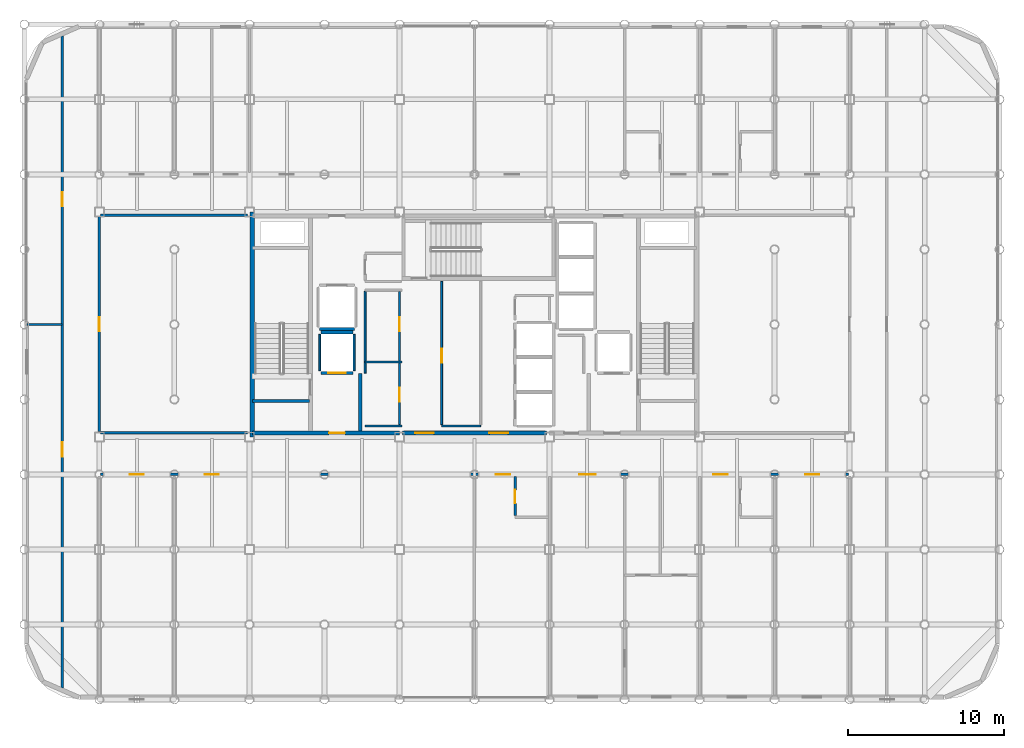
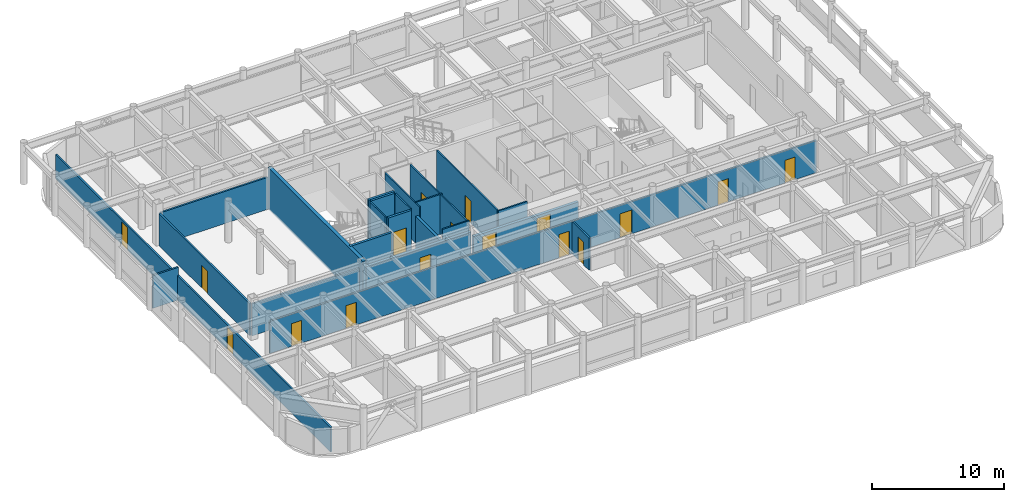
# One storey, part 17 of 22: 23 walls, 17 doors, 17 openings.
"""IFC4 building model written with IfcOpenShell, lengths in metres."""

from ifc_helpers import new_model, si_unit, direction, frame, frame_2d, origin, place, context, subcontext, project, spatial, rectangle, extrude, material, layer, layer_set, type_object, element, fill, save


model = new_model("IFC4")

# Units and contexts
model_context = context("Model", 3, precision=1e-05, world=origin(), true_north=direction((0.0, 1.0)))
body_context = subcontext(model_context, "Body", "Model", "MODEL_VIEW")
ifc_project = project(units=[si_unit("LENGTHUNIT", "METRE"), si_unit("AREAUNIT", "SQUARE_METRE"), si_unit("VOLUMEUNIT", "CUBIC_METRE"), si_unit("PLANEANGLEUNIT", "RADIAN"), si_unit("MASSUNIT", "GRAM", prefix="KILO")], contexts=[model_context])

# Site, building, storey
site_placement = place(None, origin())
site = spatial("IfcSite", under=ifc_project, at=site_placement, CompositionType="ELEMENT")
building_placement = place(site_placement, origin())
building = spatial("IfcBuilding", under=site, at=building_placement, Name="Kallvorn Hotel Tower", CompositionType="ELEMENT")
storey_placement = place(building_placement, frame((0.0, 0.0, 203.050048828125)))
storey = spatial("IfcBuildingStorey", under=building, at=storey_placement, Name="L50", CompositionType="ELEMENT", Elevation=203.050048828125)

# Wall
ifc_material_1 = material(Name="Concrete C50/60", Category="concrete")
ifc_layer_1 = layer(ifc_material_1, 0.300048828125)
ifc_layer_set_1 = layer_set([ifc_layer_1], Name="WL_CORE_300")
wall_type_1 = type_object("IfcWallType", Name="WL_CORE_300", PredefinedType="SHEAR", material=ifc_layer_set_1)
wall_1_placement = place(storey_placement, frame((-14.215087890625, -7.199951171875, -0.179931640625), z_axis=(0.0, 0.0, 1.0), x_axis=(0.0, 1.0, 0.0)))
element("IfcWall", 1, at=wall_1_placement, inside=storey, type_object=wall_type_1, Name="L50 Core West Shear Wall", PredefinedType="SHEAR", context=body_context, shape_type="SweptSolid", body=[
    extrude(rectangle(XDim=14.39990234375, YDim=0.300048828125, at=frame_2d((7.199951171875, 0.0))), origin(), (0.0, 0.0, 1.0), 3.849853515625),
])

# Wall, openings, doors
ifc_material_2 = material(Name="Fire-rated double-layer acoustic gypsum drywall EI 60")
ifc_layer_2 = layer(ifc_material_2, 0.159912109375)
ifc_layer_set_2 = layer_set([ifc_layer_2], Name="WL_DEMISE_160")
wall_type_2 = type_object("IfcWallType", Name="WL_DEMISE_160", PredefinedType="PARTITIONING", material=ifc_layer_set_2)
wall_2_placement = place(storey_placement, frame((-23.919921875, -9.60009765625, 0.0), z_axis=(0.0, 0.0, 1.0), x_axis=(1.0, 0.0, 0.0)))
wall_2 = element("IfcWall", 2, at=wall_2_placement, inside=storey, type_object=wall_type_2, Name="L50 Suite 5001 Deluxe King Room Partition", PredefinedType="PARTITIONING", context=body_context, shape_type="SweptSolid", body=[
    extrude(rectangle(XDim=47.83984375, YDim=0.159912109375, at=frame_2d((23.919921875, 0.0))), origin(), (0.0, 0.0, 1.0), 2.969970703125),
])
opening_1_placement = place(wall_2_placement, frame((1.8701171875, 0.0, 0.0)))
opening_1 = element("IfcOpeningElement", 3, at=opening_1_placement, cuts=wall_2, Name="Opening SVD1", PredefinedType="OPENING", context=body_context, shape_type="SweptSolid", body=[
    extrude(rectangle(XDim=0.89990234375, YDim=2.10009765625, at=frame_2d((0.449951171875, 1.050048828125))), frame((0.0, 0.094970703125, 0.0), z_axis=(0.0, -1.0, 0.0), x_axis=(1.0, 0.0, 0.0)), (0.0, 0.0, 1.0), 0.18994140625),
])
opening_2_placement = place(wall_2_placement, frame((45.070068359375, 0.0, 0.0)))
opening_2 = element("IfcOpeningElement", 4, at=opening_2_placement, cuts=wall_2, Name="Opening SVD1", PredefinedType="OPENING", context=body_context, shape_type="SweptSolid", body=[
    extrude(rectangle(XDim=0.89990234375, YDim=2.10009765625, at=frame_2d((0.449951171875, 1.050048828125))), frame((0.0, 0.094970703125, 0.0), z_axis=(0.0, -1.0, 0.0), x_axis=(1.0, 0.0, 0.0)), (0.0, 0.0, 1.0), 0.18994140625),
])
opening_3_placement = place(wall_2_placement, frame((6.669921875, 0.0, 0.0)))
opening_3 = element("IfcOpeningElement", 5, at=opening_3_placement, cuts=wall_2, Name="Opening SVD1", PredefinedType="OPENING", context=body_context, shape_type="SweptSolid", body=[
    extrude(rectangle(XDim=0.89990234375, YDim=2.10009765625, at=frame_2d((0.449951171875, 1.050048828125))), frame((0.0, 0.094970703125, 0.0), z_axis=(0.0, -1.0, 0.0), x_axis=(1.0, 0.0, 0.0)), (0.0, 0.0, 1.0), 0.18994140625),
])
opening_4_placement = place(wall_2_placement, frame((25.2900390625, 0.0, 0.0)))
opening_4 = element("IfcOpeningElement", 6, at=opening_4_placement, cuts=wall_2, Name="Opening GD1", PredefinedType="OPENING", context=body_context, shape_type="SweptSolid", body=[
    extrude(rectangle(XDim=0.919921875, YDim=2.14990234375, at=frame_2d((0.4599609375, 1.074951171875))), frame((0.0, 0.094970703125, 0.0), z_axis=(0.0, -1.0, 0.0), x_axis=(1.0, 0.0, 0.0)), (0.0, 0.0, 1.0), 0.18994140625),
])
opening_5_placement = place(wall_2_placement, frame((30.635009765625, 0.0, 0.0)))
opening_5 = element("IfcOpeningElement", 7, at=opening_5_placement, cuts=wall_2, Name="Opening GD2", PredefinedType="OPENING", context=body_context, shape_type="SweptSolid", body=[
    extrude(rectangle(XDim=1.050048828125, YDim=2.199951171875, at=frame_2d((0.52490234375, 1.10009765625))), frame((0.0, 0.094970703125, 0.0), z_axis=(0.0, -1.0, 0.0), x_axis=(1.0, 0.0, 0.0)), (0.0, 0.0, 1.0), 0.18994140625),
])
opening_6_placement = place(wall_2_placement, frame((39.195068359375, 0.0, 0.0)))
opening_6 = element("IfcOpeningElement", 8, at=opening_6_placement, cuts=wall_2, Name="Opening GD1", PredefinedType="OPENING", context=body_context, shape_type="SweptSolid", body=[
    extrude(rectangle(XDim=0.919921875, YDim=2.14990234375, at=frame_2d((0.4599609375, 1.074951171875))), frame((0.0, 0.094970703125, 0.0), z_axis=(0.0, -1.0, 0.0), x_axis=(1.0, 0.0, 0.0)), (0.0, 0.0, 1.0), 0.18994140625),
])
ifc_material_3 = material(Name="Solid-core walnut veneer fire-rated timber door leaf", Category="wood")
door_type_1 = type_object("IfcDoorType", Name="DR_GUEST_920x2150", OperationType="NOTDEFINED", PredefinedType="DOOR", material=ifc_material_3)
door_1_placement = place(opening_4_placement, origin())
door_1 = element("IfcDoor", 9, at=door_1_placement, inside=storey, type_object=door_type_1, Name="L50 Suite 5001 Deluxe King Room Door", OperationType="SINGLE_SWING_RIGHT", OverallHeight=2.14990234375, OverallWidth=0.919921875, PredefinedType="DOOR", context=body_context, shape_type="SweptSolid", body=[
    extrude(rectangle(XDim=0.919921875, YDim=2.14990234375, at=frame_2d((0.4599609375, 1.074951171875))), frame((0.0, 0.02490234375, 0.0), z_axis=(0.0, -1.0, 0.0), x_axis=(1.0, 0.0, 0.0)), (0.0, 0.0, 1.0), 0.050048828125),
])
fill(opening_4, door_1)
door_2_placement = place(opening_6_placement, origin())
door_2 = element("IfcDoor", 10, at=door_2_placement, inside=storey, type_object=door_type_1, Name="L50 Suite 5003 Superior Twin Room Door", OperationType="SINGLE_SWING_RIGHT", OverallHeight=2.14990234375, OverallWidth=0.919921875, PredefinedType="DOOR", context=body_context, shape_type="SweptSolid", body=[
    extrude(rectangle(XDim=0.919921875, YDim=2.14990234375, at=frame_2d((0.4599609375, 1.074951171875))), frame((0.0, 0.02490234375, 0.0), z_axis=(0.0, -1.0, 0.0), x_axis=(1.0, 0.0, 0.0)), (0.0, 0.0, 1.0), 0.050048828125),
])
fill(opening_6, door_2)
ifc_material_4 = material(Name="Galvanised painted steel fire-rated door assembly", Category="steel")
door_type_2 = type_object("IfcDoorType", Name="DR_SERV_900x2100", OperationType="NOTDEFINED", PredefinedType="DOOR", material=ifc_material_4)
door_3_placement = place(opening_1_placement, origin())
door_3 = element("IfcDoor", 11, at=door_3_placement, inside=storey, type_object=door_type_2, Name="L50 L50 High-Zone South-West Tea Bar Door", OperationType="SINGLE_SWING_LEFT", OverallHeight=2.10009765625, OverallWidth=0.89990234375, PredefinedType="DOOR", context=body_context, shape_type="SweptSolid", body=[
    extrude(rectangle(XDim=0.89990234375, YDim=2.10009765625, at=frame_2d((0.449951171875, 1.050048828125))), frame((0.0, 0.02490234375, 0.0), z_axis=(0.0, -1.0, 0.0), x_axis=(1.0, 0.0, 0.0)), (0.0, 0.0, 1.0), 0.050048828125),
])
fill(opening_1, door_3)
door_4_placement = place(opening_2_placement, origin())
door_4 = element("IfcDoor", 12, at=door_4_placement, inside=storey, type_object=door_type_2, Name="L50 L50 High-Zone South-East Wine Bar Door", OperationType="SINGLE_SWING_RIGHT", OverallHeight=2.10009765625, OverallWidth=0.89990234375, PredefinedType="DOOR", context=body_context, shape_type="SweptSolid", body=[
    extrude(rectangle(XDim=0.89990234375, YDim=2.10009765625, at=frame_2d((0.449951171875, 1.050048828125))), frame((0.0, 0.02490234375, 0.0), z_axis=(0.0, -1.0, 0.0), x_axis=(1.0, 0.0, 0.0)), (0.0, 0.0, 1.0), 0.050048828125),
])
fill(opening_2, door_4)
door_5_placement = place(opening_3_placement, origin())
door_5 = element("IfcDoor", 13, at=door_5_placement, inside=storey, type_object=door_type_2, Name="L50 L50 Executive Co-Working Open-Plan Office 1 Door", OperationType="SINGLE_SWING_RIGHT", OverallHeight=2.10009765625, OverallWidth=0.89990234375, PredefinedType="DOOR", context=body_context, shape_type="SweptSolid", body=[
    extrude(rectangle(XDim=0.89990234375, YDim=2.10009765625, at=frame_2d((0.449951171875, 1.050048828125))), frame((0.0, 0.02490234375, 0.0), z_axis=(0.0, -1.0, 0.0), x_axis=(1.0, 0.0, 0.0)), (0.0, 0.0, 1.0), 0.050048828125),
])
fill(opening_3, door_5)
ifc_material_5 = material(Name="Solid-core walnut veneer fire-rated timber door leaf", Category="wood")
door_type_3 = type_object("IfcDoorType", Name="DR_SUITE_1050x2200", OperationType="NOTDEFINED", PredefinedType="DOOR", material=ifc_material_5)
door_6_placement = place(opening_5_placement, origin())
door_6 = element("IfcDoor", 14, at=door_6_placement, inside=storey, type_object=door_type_3, Name="L50 Suite 5002 Executive Living Salon Door", OperationType="SINGLE_SWING_LEFT", OverallHeight=2.199951171875, OverallWidth=1.050048828125, PredefinedType="DOOR", context=body_context, shape_type="SweptSolid", body=[
    extrude(rectangle(XDim=1.050048828125, YDim=2.199951171875, at=frame_2d((0.52490234375, 1.10009765625))), frame((0.0, 0.02490234375, 0.0), z_axis=(0.0, -1.0, 0.0), x_axis=(1.0, 0.0, 0.0)), (0.0, 0.0, 1.0), 0.050048828125),
])
fill(opening_5, door_6)

# Wall, opening, door
wall_3_placement = place(storey_placement, frame((2.59326171875, -12.235107421875, 0.0), z_axis=(0.0, 0.0, 1.0), x_axis=(0.0, 1.0, 0.0)))
wall_3 = element("IfcWall", 15, at=wall_3_placement, inside=storey, type_object=wall_type_2, Name="L50 Suite 5001 Deluxe King Room Partition", PredefinedType="PARTITIONING", context=body_context, shape_type="SweptSolid", body=[
    extrude(rectangle(XDim=2.51513671875, YDim=0.159912109375, at=frame_2d((1.257568359375, 0.0))), origin(), (0.0, 0.0, 1.0), 2.969970703125),
])
opening_7_placement = place(wall_3_placement, frame((0.784912109375, 0.0, 0.0)))
opening_7 = element("IfcOpeningElement", 16, at=opening_7_placement, cuts=wall_3, Name="Opening BD-I", PredefinedType="OPENING", context=body_context, shape_type="SweptSolid", body=[
    extrude(rectangle(XDim=0.860107421875, YDim=2.10009765625, at=frame_2d((0.43017578125, 1.050048828125))), frame((0.0, 0.094970703125, 0.0), z_axis=(0.0, -1.0, 0.0), x_axis=(1.0, 0.0, 0.0)), (0.0, 0.0, 1.0), 0.18994140625),
])
ifc_material_6 = material(Name="Solid-core walnut veneer fire-rated timber door leaf", Category="wood")
door_type_4 = type_object("IfcDoorType", Name="DR_BATH_860x2100", OperationType="NOTDEFINED", PredefinedType="DOOR", material=ifc_material_6)
door_7_placement = place(opening_7_placement, origin())
door_7 = element("IfcDoor", 17, at=door_7_placement, inside=storey, type_object=door_type_4, Name="L50 Suite 5001 En-Suite Bathroom Door", OperationType="SINGLE_SWING_RIGHT", OverallHeight=2.10009765625, OverallWidth=0.860107421875, PredefinedType="DOOR", context=body_context, shape_type="SweptSolid", body=[
    extrude(rectangle(XDim=0.860107421875, YDim=2.10009765625, at=frame_2d((0.43017578125, 1.050048828125))), frame((0.0, 0.02490234375, 0.0), z_axis=(0.0, -1.0, 0.0), x_axis=(1.0, 0.0, 0.0)), (0.0, 0.0, 1.0), 0.050048828125),
])
fill(opening_7, door_7)

# Walls
ifc_material_7 = material(Name="Concrete C40/50", Category="concrete")
ifc_layer_3 = layer(ifc_material_7, 0.219970703125)
ifc_layer_set_3 = layer_set([ifc_layer_3], Name="WL_FFL_220")
wall_type_3 = type_object("IfcWallType", Name="WL_FFL_220", PredefinedType="SOLIDWALL", material=ifc_layer_set_3)
wall_4_placement = place(storey_placement, frame((-7.300048828125, -6.820068359375, 0.0), z_axis=(0.0, 0.0, 1.0), x_axis=(0.0, 1.0, 0.0)))
element("IfcWall", 18, at=wall_4_placement, inside=storey, type_object=wall_type_3, Name="L50 Firefighting Lobby West Divider Wall", PredefinedType="SOLIDWALL", context=body_context, shape_type="SweptSolid", body=[
    extrude(rectangle(XDim=3.670166015625, YDim=0.219970703125, at=frame_2d((1.8349609375, 0.0))), origin(), (0.0, 0.0, 1.0), 2.969970703125),
])
ifc_material_8 = material(Name="Concrete C40/50", Category="concrete")
ifc_layer_4 = layer(ifc_material_8, 0.199951171875)
ifc_layer_set_4 = layer_set([ifc_layer_4], Name="WL_HOIST_200")
wall_type_4 = type_object("IfcWallType", Name="WL_HOIST_200", PredefinedType="SOLIDWALL", material=ifc_layer_set_4)
wall_5_placement = place(storey_placement, frame((-14.199951171875, -4.89990234375, -0.179931640625), z_axis=(0.0, 0.0, 1.0), x_axis=(1.0, 0.0, 0.0)))
element("IfcWall", 19, at=wall_5_placement, inside=storey, type_object=wall_type_4, Name="L50 Stair ST1 South Wall", PredefinedType="SOLIDWALL", context=body_context, shape_type="SweptSolid", body=[
    extrude(rectangle(XDim=3.64990234375, YDim=0.199951171875, at=frame_2d((1.824951171875, 0.0))), origin(), (0.0, 0.0, 1.0), 3.849853515625),
])

# Wall, opening, door
wall_6_placement = place(storey_placement, frame((-9.820068359375, -3.10009765625, 0.0), z_axis=(0.0, 0.0, 1.0), x_axis=(1.0, 0.0, 0.0)))
wall_6 = element("IfcWall", 20, at=wall_6_placement, inside=storey, type_object=wall_type_4, Name="L50 FL-1 Landing Wall", PredefinedType="SOLIDWALL", context=body_context, shape_type="SweptSolid", body=[
    extrude(rectangle(XDim=2.0400390625, YDim=0.199951171875, at=frame_2d((1.02001953125, 0.0))), origin(), (0.0, 0.0, 1.0), 3.669921875),
])
opening_8_placement = place(wall_6_placement, frame((0.469970703125, 0.0, 0.0)))
opening_8 = element("IfcOpeningElement", 21, at=opening_8_placement, cuts=wall_6, Name="Opening LD-FL-1", PredefinedType="OPENING", context=body_context, shape_type="SweptSolid", body=[
    extrude(rectangle(XDim=1.10009765625, YDim=2.199951171875, at=frame_2d((0.550048828125, 1.10009765625))), frame((0.0, 0.114990234375, 0.0), z_axis=(0.0, -1.0, 0.0), x_axis=(1.0, 0.0, 0.0)), (0.0, 0.0, 1.0), 0.22998046875),
])
ifc_material_9 = material(Name="Brushed stainless-steel automatic sliding lift landing door", Category="steel")
door_type_5 = type_object("IfcDoorType", Name="LD_PASS_1100x2200", OperationType="SLIDING_TO_LEFT", PredefinedType="DOOR", material=ifc_material_9)
door_8_placement = place(opening_8_placement, origin())
door_8 = element("IfcDoor", 22, at=door_8_placement, inside=storey, type_object=door_type_5, Name="L50 Lift Landing Sliding Door LD-FL-1", OperationType="SLIDING_TO_LEFT", OverallHeight=2.199951171875, OverallWidth=1.10009765625, PredefinedType="DOOR", context=body_context, shape_type="SweptSolid", body=[
    extrude(rectangle(XDim=1.10009765625, YDim=2.199951171875, at=frame_2d((0.550048828125, 1.10009765625))), frame((0.0, 0.02490234375, 0.0), z_axis=(0.0, -1.0, 0.0), x_axis=(1.0, 0.0, 0.0)), (0.0, 0.0, 1.0), 0.050048828125),
])
fill(opening_8, door_8)

# Walls
wall_7_placement = place(storey_placement, frame((-9.820068359375, -0.5, 0.0), z_axis=(0.0, 0.0, 1.0), x_axis=(1.0, 0.0, 0.0)))
element("IfcWall", 23, at=wall_7_placement, inside=storey, type_object=wall_type_4, Name="L50 FL-1 Rear Shaft Wall", PredefinedType="SOLIDWALL", context=body_context, shape_type="SweptSolid", body=[
    extrude(rectangle(XDim=2.0400390625, YDim=0.199951171875, at=frame_2d((1.02001953125, 0.0))), origin(), (0.0, 0.0, 1.0), 3.669921875),
])
wall_8_placement = place(storey_placement, frame((-9.919921875, -0.300048828125, 0.0), z_axis=(0.0, 0.0, 1.0), x_axis=(1.0, 0.0, 0.0)))
element("IfcWall", 24, at=wall_8_placement, inside=storey, type_object=wall_type_4, Name="L50 SV-01 Rear Shaft Wall", PredefinedType="SOLIDWALL", context=body_context, shape_type="SweptSolid", body=[
    extrude(rectangle(XDim=2.239990234375, YDim=0.199951171875, at=frame_2d((1.1201171875, 0.0))), origin(), (0.0, 0.0, 1.0), 3.669921875),
])
ifc_material_10 = material(Name="Fire-rated double-layer acoustic gypsum drywall EI 60")
ifc_layer_5 = layer(ifc_material_10, 0.1201171875)
ifc_layer_set_5 = layer_set([ifc_layer_5], Name="WL_INT_120")
wall_type_5 = type_object("IfcWallType", Name="WL_INT_120", PredefinedType="PARTITIONING", material=ifc_layer_set_5)
for number, where, z_axis, x_axis, name in (
    (25, (-9.89990234375, -2.9599609375, 0.0), (0.0, 0.0, 1.0), (0.0, 1.0, 0.0), "L50 FL-1 West Shaft Wall"),
    (26, (-7.699951171875, -2.9599609375, 0.0), (0.0, 0.0, 1.0), (0.0, 1.0, 0.0), "L50 FL-1 East Shaft Wall"),
):
    element("IfcWall", number, at=place(storey_placement, frame(where, z_axis=z_axis, x_axis=x_axis)), inside=storey, type_object=wall_type_5, Name=name, PredefinedType="PARTITIONING", context=body_context, shape_type="SweptSolid", body=[
        extrude(rectangle(XDim=2.320068359375, YDim=0.1201171875, at=frame_2d((1.16015625, 0.0))), origin(), (0.0, 0.0, 1.0), 3.669921875),
    ])
wall_9_placement = place(storey_placement, frame((-7.0, -6.5, 0.0), z_axis=(0.0, 0.0, 1.0), x_axis=(1.0, 0.0, 0.0)))
element("IfcWall", 27, at=wall_9_placement, inside=storey, type_object=wall_type_5, Name="L50 Recaptured South Minibar Pantry Partition", PredefinedType="PARTITIONING", context=body_context, shape_type="SweptSolid", body=[
    extrude(rectangle(XDim=2.35009765625, YDim=0.1201171875, at=frame_2d((1.175048828125, 0.0))), origin(), (0.0, 0.0, 1.0), 3.669921875),
])
wall_10_placement = place(storey_placement, frame((-2.10009765625, -6.5, 0.0), z_axis=(0.0, 0.0, 1.0), x_axis=(1.0, 0.0, 0.0)))
element("IfcWall", 28, at=wall_10_placement, inside=storey, type_object=wall_type_5, Name="L50 Altitude Executive Pantry and Ice Room Partition", PredefinedType="PARTITIONING", context=body_context, shape_type="SweptSolid", body=[
    extrude(rectangle(XDim=2.5, YDim=0.1201171875, at=frame_2d((1.25, 0.0))), origin(), (0.0, 0.0, 1.0), 3.669921875),
])
wall_11_placement = place(storey_placement, frame((-7.0, -2.39990234375, 0.0), z_axis=(0.0, 0.0, 1.0), x_axis=(1.0, 0.0, 0.0)))
element("IfcWall", 29, at=wall_11_placement, inside=storey, type_object=wall_type_5, Name="L50 Recaptured Central Linen Store Partition", PredefinedType="PARTITIONING", context=body_context, shape_type="SweptSolid", body=[
    extrude(rectangle(XDim=2.35009765625, YDim=0.1201171875, at=frame_2d((1.175048828125, 0.0))), origin(), (0.0, 0.0, 1.0), 3.669921875),
])
wall_12_placement = place(storey_placement, frame((-7.0, -3.110107421875, 0.0), z_axis=(0.0, 0.0, 1.0), x_axis=(0.0, 1.0, 0.0)))
element("IfcWall", 30, at=wall_12_placement, inside=storey, type_object=wall_type_5, Name="L50 Recaptured South Minibar Pantry Partition", PredefinedType="PARTITIONING", context=body_context, shape_type="SweptSolid", body=[
    extrude(rectangle(XDim=5.22509765625, YDim=0.1201171875, at=frame_2d((2.612548828125, 0.0))), origin(), (0.0, 0.0, 1.0), 3.669921875),
])

# Wall, openings, doors
wall_13_placement = place(storey_placement, frame((-4.800048828125, -6.4150390625, 0.0), z_axis=(0.0, 0.0, 1.0), x_axis=(0.0, 1.0, 0.0)))
wall_13 = element("IfcWall", 31, at=wall_13_placement, inside=storey, type_object=wall_type_5, Name="L50 Recaptured South Minibar Pantry Partition", PredefinedType="PARTITIONING", context=body_context, shape_type="SweptSolid", body=[
    extrude(rectangle(XDim=8.530029296875, YDim=0.1201171875, at=frame_2d((4.26513671875, 0.0))), origin(), (0.0, 0.0, 1.0), 3.669921875),
])
opening_9_placement = place(wall_13_placement, frame((1.465087890625, 0.0, 0.0)))
opening_9 = element("IfcOpeningElement", 32, at=opening_9_placement, cuts=wall_13, Name="Opening SVD1", PredefinedType="OPENING", context=body_context, shape_type="SweptSolid", body=[
    extrude(rectangle(XDim=0.89990234375, YDim=2.10009765625, at=frame_2d((0.449951171875, 1.050048828125))), frame((0.0, 0.074951171875, 0.0), z_axis=(0.0, -1.0, 0.0), x_axis=(1.0, 0.0, 0.0)), (0.0, 0.0, 1.0), 0.150146484375),
])
opening_10_placement = place(wall_13_placement, frame((5.965087890625, 0.0, 0.0)))
opening_10 = element("IfcOpeningElement", 33, at=opening_10_placement, cuts=wall_13, Name="Opening SVD1", PredefinedType="OPENING", context=body_context, shape_type="SweptSolid", body=[
    extrude(rectangle(XDim=0.89990234375, YDim=2.10009765625, at=frame_2d((0.449951171875, 1.050048828125))), frame((0.0, 0.074951171875, 0.0), z_axis=(0.0, -1.0, 0.0), x_axis=(1.0, 0.0, 0.0)), (0.0, 0.0, 1.0), 0.150146484375),
])
door_9_placement = place(opening_9_placement, origin())
door_9 = element("IfcDoor", 34, at=door_9_placement, inside=storey, type_object=door_type_2, Name="L50 Recaptured South Minibar Pantry Door", OperationType="SINGLE_SWING_RIGHT", OverallHeight=2.10009765625, OverallWidth=0.89990234375, PredefinedType="DOOR", context=body_context, shape_type="SweptSolid", body=[
    extrude(rectangle(XDim=0.89990234375, YDim=2.10009765625, at=frame_2d((0.449951171875, 1.050048828125))), frame((0.0, 0.02490234375, 0.0), z_axis=(0.0, -1.0, 0.0), x_axis=(1.0, 0.0, 0.0)), (0.0, 0.0, 1.0), 0.050048828125),
])
fill(opening_9, door_9)
door_10_placement = place(opening_10_placement, origin())
door_10 = element("IfcDoor", 35, at=door_10_placement, inside=storey, type_object=door_type_2, Name="L50 Recaptured Central Linen Store Door", OperationType="SINGLE_SWING_LEFT", OverallHeight=2.10009765625, OverallWidth=0.89990234375, PredefinedType="DOOR", context=body_context, shape_type="SweptSolid", body=[
    extrude(rectangle(XDim=0.89990234375, YDim=2.10009765625, at=frame_2d((0.449951171875, 1.050048828125))), frame((0.0, 0.02490234375, 0.0), z_axis=(0.0, -1.0, 0.0), x_axis=(1.0, 0.0, 0.0)), (0.0, 0.0, 1.0), 0.050048828125),
])
fill(opening_10, door_10)

# Wall, opening, door
wall_14_placement = place(storey_placement, frame((-2.10009765625, -6.4150390625, 0.0), z_axis=(0.0, 0.0, 1.0), x_axis=(0.0, 1.0, 0.0)))
wall_14 = element("IfcWall", 36, at=wall_14_placement, inside=storey, type_object=wall_type_5, Name="L50 Altitude Executive Pantry and Ice Room Partition", PredefinedType="PARTITIONING", context=body_context, shape_type="SweptSolid", body=[
    extrude(rectangle(XDim=9.1650390625, YDim=0.1201171875, at=frame_2d((4.58251953125, 0.0))), origin(), (0.0, 0.0, 1.0), 3.669921875),
])
opening_11_placement = place(wall_14_placement, frame((3.965087890625, 0.0, 0.0)))
opening_11 = element("IfcOpeningElement", 37, at=opening_11_placement, cuts=wall_14, Name="Opening SVD1", PredefinedType="OPENING", context=body_context, shape_type="SweptSolid", body=[
    extrude(rectangle(XDim=0.89990234375, YDim=2.10009765625, at=frame_2d((0.449951171875, 1.050048828125))), frame((0.0, 0.074951171875, 0.0), z_axis=(0.0, -1.0, 0.0), x_axis=(1.0, 0.0, 0.0)), (0.0, 0.0, 1.0), 0.150146484375),
])
door_11_placement = place(opening_11_placement, origin())
door_11 = element("IfcDoor", 38, at=door_11_placement, inside=storey, type_object=door_type_2, Name="L50 Altitude Executive Pantry and Ice Room Door", OperationType="SINGLE_SWING_LEFT", OverallHeight=2.10009765625, OverallWidth=0.89990234375, PredefinedType="DOOR", context=body_context, shape_type="SweptSolid", body=[
    extrude(rectangle(XDim=0.89990234375, YDim=2.10009765625, at=frame_2d((0.449951171875, 1.050048828125))), frame((0.0, 0.02490234375, 0.0), z_axis=(0.0, -1.0, 0.0), x_axis=(1.0, 0.0, 0.0)), (0.0, 0.0, 1.0), 0.050048828125),
])
fill(opening_11, door_11)

# Walls
ifc_material_11 = material(Name="Fire-rated double-layer acoustic gypsum drywall EI 60")
ifc_layer_6 = layer(ifc_material_11, 0.14990234375)
ifc_layer_set_6 = layer_set([ifc_layer_6], Name="WL_PART_150")
wall_type_6 = type_object("IfcWallType", Name="WL_PART_150", PredefinedType="PARTITIONING", material=ifc_layer_set_6)
wall_15_placement = place(storey_placement, frame((-23.919921875, -6.919921875, 0.0), z_axis=(0.0, 0.0, 1.0), x_axis=(1.0, 0.0, 0.0)))
element("IfcWall", 39, at=wall_15_placement, inside=storey, type_object=wall_type_6, Name="L50 L50 High-Zone Inner West Club Bar Partition", PredefinedType="PARTITIONING", context=body_context, shape_type="SweptSolid", body=[
    extrude(rectangle(XDim=9.39990234375, YDim=0.14990234375, at=frame_2d((4.699951171875, 0.0))), origin(), (0.0, 0.0, 1.0), 2.969970703125),
])
wall_16_placement = place(storey_placement, frame((-28.6298828125, 0.0, 0.0), z_axis=(0.0, 0.0, 1.0), x_axis=(1.0, 0.0, 0.0)))
element("IfcWall", 40, at=wall_16_placement, inside=storey, type_object=wall_type_6, Name="L50 L50 Outer West North Fitness Club Partition", PredefinedType="PARTITIONING", context=body_context, shape_type="SweptSolid", body=[
    extrude(rectangle(XDim=2.25, YDim=0.14990234375, at=frame_2d((1.125, 0.0))), origin(), (0.0, 0.0, 1.0), 3.02001953125),
])
wall_17_placement = place(storey_placement, frame((-23.919921875, 6.97998046875, 0.0), z_axis=(0.0, 0.0, 1.0), x_axis=(1.0, 0.0, 0.0)))
element("IfcWall", 41, at=wall_17_placement, inside=storey, type_object=wall_type_6, Name="L50 L50 High-Zone Inner West Club Bar Partition", PredefinedType="PARTITIONING", context=body_context, shape_type="SweptSolid", body=[
    extrude(rectangle(XDim=9.39990234375, YDim=0.14990234375, at=frame_2d((4.699951171875, 0.0))), origin(), (0.0, 0.0, 1.0), 2.969970703125),
])

# Wall, openings, doors
wall_18_placement = place(storey_placement, frame((-26.3798828125, -23.247314453125, 0.0), z_axis=(0.0, 0.0, 1.0), x_axis=(0.0, 1.0, 0.0)))
wall_18 = element("IfcWall", 42, at=wall_18_placement, inside=storey, type_object=wall_type_6, Name="L50 L50 Outer West South Cocktail Bar Partition", PredefinedType="PARTITIONING", context=body_context, shape_type="SweptSolid", body=[
    extrude(rectangle(XDim=41.694580078125, YDim=0.14990234375, at=frame_2d((20.84716796875, 0.0))), origin(), (0.0, 0.0, 1.0), 2.27001953125),
])
opening_12_placement = place(wall_18_placement, frame((14.79736328125, 0.0, 0.0)))
opening_12 = element("IfcOpeningElement", 43, at=opening_12_placement, cuts=wall_18, Name="Opening SVD1", PredefinedType="OPENING", context=body_context, shape_type="SweptSolid", body=[
    extrude(rectangle(XDim=0.89990234375, YDim=2.10009765625, at=frame_2d((0.449951171875, 1.050048828125))), frame((0.0, 0.08984375, 0.0), z_axis=(0.0, -1.0, 0.0), x_axis=(1.0, 0.0, 0.0)), (0.0, 0.0, 1.0), 0.179931640625),
])
opening_13_placement = place(wall_18_placement, frame((30.79736328125, 0.0, 0.0)))
opening_13 = element("IfcOpeningElement", 44, at=opening_13_placement, cuts=wall_18, Name="Opening SVD1", PredefinedType="OPENING", context=body_context, shape_type="SweptSolid", body=[
    extrude(rectangle(XDim=0.89990234375, YDim=2.10009765625, at=frame_2d((0.449951171875, 1.050048828125))), frame((0.0, 0.08984375, 0.0), z_axis=(0.0, -1.0, 0.0), x_axis=(1.0, 0.0, 0.0)), (0.0, 0.0, 1.0), 0.179931640625),
])
door_12_placement = place(opening_12_placement, origin())
door_12 = element("IfcDoor", 45, at=door_12_placement, inside=storey, type_object=door_type_2, Name="L50 L50 Outer West South Cocktail Bar Door", OperationType="SINGLE_SWING_RIGHT", OverallHeight=2.10009765625, OverallWidth=0.89990234375, PredefinedType="DOOR", context=body_context, shape_type="SweptSolid", body=[
    extrude(rectangle(XDim=0.89990234375, YDim=2.10009765625, at=frame_2d((0.449951171875, 1.050048828125))), frame((0.0, 0.02490234375, 0.0), z_axis=(0.0, -1.0, 0.0), x_axis=(1.0, 0.0, 0.0)), (0.0, 0.0, 1.0), 0.050048828125),
])
fill(opening_12, door_12)
door_13_placement = place(opening_13_placement, origin())
door_13 = element("IfcDoor", 46, at=door_13_placement, inside=storey, type_object=door_type_2, Name="L50 L50 Outer West North Fitness Club Door", OperationType="SINGLE_SWING_LEFT", OverallHeight=2.10009765625, OverallWidth=0.89990234375, PredefinedType="DOOR", context=body_context, shape_type="SweptSolid", body=[
    extrude(rectangle(XDim=0.89990234375, YDim=2.10009765625, at=frame_2d((0.449951171875, 1.050048828125))), frame((0.0, 0.02490234375, 0.0), z_axis=(0.0, -1.0, 0.0), x_axis=(1.0, 0.0, 0.0)), (0.0, 0.0, 1.0), 0.050048828125),
])
fill(opening_13, door_13)

# Wall, opening, door
wall_19_placement = place(storey_placement, frame((-24.0, -6.8349609375, 0.0), z_axis=(0.0, 0.0, 1.0), x_axis=(0.0, 1.0, 0.0)))
wall_19 = element("IfcWall", 47, at=wall_19_placement, inside=storey, type_object=wall_type_6, Name="L50 L50 High-Zone Inner West Club Bar Partition", PredefinedType="PARTITIONING", context=body_context, shape_type="SweptSolid", body=[
    extrude(rectangle(XDim=13.72998046875, YDim=0.14990234375, at=frame_2d((6.864990234375, 0.0))), origin(), (0.0, 0.0, 1.0), 2.969970703125),
])
opening_14_placement = place(wall_19_placement, frame((6.385009765625, 0.0, 0.0)))
opening_14 = element("IfcOpeningElement", 48, at=opening_14_placement, cuts=wall_19, Name="Opening SVD1", PredefinedType="OPENING", context=body_context, shape_type="SweptSolid", body=[
    extrude(rectangle(XDim=0.89990234375, YDim=2.10009765625, at=frame_2d((0.449951171875, 1.050048828125))), frame((0.0, 0.08984375, 0.0), z_axis=(0.0, -1.0, 0.0), x_axis=(1.0, 0.0, 0.0)), (0.0, 0.0, 1.0), 0.179931640625),
])
door_14_placement = place(opening_14_placement, origin())
door_14 = element("IfcDoor", 49, at=door_14_placement, inside=storey, type_object=door_type_2, Name="L50 L50 High-Zone Inner West Club Bar Door", OperationType="SINGLE_SWING_LEFT", OverallHeight=2.10009765625, OverallWidth=0.89990234375, PredefinedType="DOOR", context=body_context, shape_type="SweptSolid", body=[
    extrude(rectangle(XDim=0.89990234375, YDim=2.10009765625, at=frame_2d((0.449951171875, 1.050048828125))), frame((0.0, 0.02490234375, 0.0), z_axis=(0.0, -1.0, 0.0), x_axis=(1.0, 0.0, 0.0)), (0.0, 0.0, 1.0), 0.050048828125),
])
fill(opening_14, door_14)

ifc_material_12 = material(Name="Concrete C40/50", Category="concrete")
ifc_layer_7 = layer(ifc_material_12, 0.25)
ifc_layer_set_7 = layer_set([ifc_layer_7], Name="WL_SHAFT_250")
wall_type_7 = type_object("IfcWallType", Name="WL_SHAFT_250", PredefinedType="SOLIDWALL", material=ifc_layer_set_7)
wall_20_placement = place(storey_placement, frame((-14.199951171875, -6.949951171875, 0.0), z_axis=(0.0, 0.0, 1.0), x_axis=(1.0, 0.0, 0.0)))
wall_20 = element("IfcWall", 50, at=wall_20_placement, inside=storey, type_object=wall_type_7, Name="L50 Core South-West Wall", PredefinedType="SOLIDWALL", context=body_context, shape_type="SweptSolid", body=[
    extrude(rectangle(XDim=9.39990234375, YDim=0.25, at=frame_2d((4.699951171875, 0.0))), origin(), (0.0, 0.0, 1.0), 2.969970703125),
])
opening_15_placement = place(wall_20_placement, frame((4.89990234375, 0.0, 0.0)))
opening_15 = element("IfcOpeningElement", 51, at=opening_15_placement, cuts=wall_20, Name="Opening FD1", PredefinedType="OPENING", context=body_context, shape_type="SweptSolid", body=[
    extrude(rectangle(XDim=1.0, YDim=2.14990234375, at=frame_2d((0.5, 1.074951171875))), frame((0.0, 0.139892578125, 0.0), z_axis=(0.0, -1.0, 0.0), x_axis=(1.0, 0.0, 0.0)), (0.0, 0.0, 1.0), 0.280029296875),
])
ifc_material_13 = material(Name="Galvanised painted steel fire-rated door assembly", Category="steel")
door_type_6 = type_object("IfcDoorType", Name="DR_FFL_1000x2150", OperationType="NOTDEFINED", PredefinedType="DOOR", material=ifc_material_13)
door_15_placement = place(opening_15_placement, origin())
door_15 = element("IfcDoor", 52, at=door_15_placement, inside=storey, type_object=door_type_6, Name="L50 Firefighting Lobby West Door", OperationType="SINGLE_SWING_LEFT", OverallHeight=2.14990234375, OverallWidth=1.0, PredefinedType="DOOR", context=body_context, shape_type="SweptSolid", body=[
    extrude(rectangle(XDim=1.0, YDim=2.14990234375, at=frame_2d((0.5, 1.074951171875))), frame((0.0, 0.02490234375, 0.0), z_axis=(0.0, -1.0, 0.0), x_axis=(1.0, 0.0, 0.0)), (0.0, 0.0, 1.0), 0.050048828125),
])
fill(opening_15, door_15)

# Wall, openings, doors
wall_21_placement = place(storey_placement, frame((-4.60009765625, -6.949951171875, 0.0), z_axis=(0.0, 0.0, 1.0), x_axis=(1.0, 0.0, 0.0)))
wall_21 = element("IfcWall", 53, at=wall_21_placement, inside=storey, type_object=wall_type_7, Name="L50 Core South-Central Wall", PredefinedType="SOLIDWALL", context=body_context, shape_type="SweptSolid", body=[
    extrude(rectangle(XDim=9.2001953125, YDim=0.25, at=frame_2d((4.60009765625, 0.0))), origin(), (0.0, 0.0, 1.0), 2.469970703125),
])
opening_16_placement = place(wall_21_placement, frame((0.800048828125, 0.0, 0.0)))
opening_16 = element("IfcOpeningElement", 54, at=opening_16_placement, cuts=wall_21, Name="Opening FD2", PredefinedType="OPENING", context=body_context, shape_type="SweptSolid", body=[
    extrude(rectangle(XDim=1.199951171875, YDim=2.199951171875, at=frame_2d((0.60009765625, 1.10009765625))), frame((0.0, 0.139892578125, 0.0), z_axis=(0.0, -1.0, 0.0), x_axis=(1.0, 0.0, 0.0)), (0.0, 0.0, 1.0), 0.280029296875),
])
opening_17_placement = place(wall_21_placement, frame((5.550048828125, 0.0, 0.0)))
opening_17 = element("IfcOpeningElement", 55, at=opening_17_placement, cuts=wall_21, Name="Opening FD2", PredefinedType="OPENING", context=body_context, shape_type="SweptSolid", body=[
    extrude(rectangle(XDim=1.199951171875, YDim=2.199951171875, at=frame_2d((0.60009765625, 1.10009765625))), frame((0.0, 0.139892578125, 0.0), z_axis=(0.0, -1.0, 0.0), x_axis=(1.0, 0.0, 0.0)), (0.0, 0.0, 1.0), 0.280029296875),
])
ifc_material_14 = material(Name="Galvanised painted steel fire-rated door assembly", Category="steel")
door_type_7 = type_object("IfcDoorType", Name="DR_LOBBY_1200x2200", OperationType="DOUBLE_DOOR_SINGLE_SWING", PredefinedType="DOOR", material=ifc_material_14)
door_16_placement = place(opening_16_placement, origin())
door_16 = element("IfcDoor", 56, at=door_16_placement, inside=storey, type_object=door_type_7, Name="L50 West Passenger Lift Lobby Door", OperationType="DOUBLE_DOOR_SINGLE_SWING", OverallHeight=2.199951171875, OverallWidth=1.199951171875, PredefinedType="DOOR", context=body_context, shape_type="SweptSolid", body=[
    extrude(rectangle(XDim=1.199951171875, YDim=2.199951171875, at=frame_2d((0.60009765625, 1.10009765625))), frame((0.0, 0.02490234375, 0.0), z_axis=(0.0, -1.0, 0.0), x_axis=(1.0, 0.0, 0.0)), (0.0, 0.0, 1.0), 0.050048828125),
])
fill(opening_16, door_16)
door_17_placement = place(opening_17_placement, origin())
door_17 = element("IfcDoor", 57, at=door_17_placement, inside=storey, type_object=door_type_7, Name="L50 East Passenger Lift Lobby Door", OperationType="DOUBLE_DOOR_SINGLE_SWING", OverallHeight=2.199951171875, OverallWidth=1.199951171875, PredefinedType="DOOR", context=body_context, shape_type="SweptSolid", body=[
    extrude(rectangle(XDim=1.199951171875, YDim=2.199951171875, at=frame_2d((0.60009765625, 1.10009765625))), frame((0.0, 0.02490234375, 0.0), z_axis=(0.0, -1.0, 0.0), x_axis=(1.0, 0.0, 0.0)), (0.0, 0.0, 1.0), 0.050048828125),
])
fill(opening_17, door_17)

save(model, "model.ifc")
